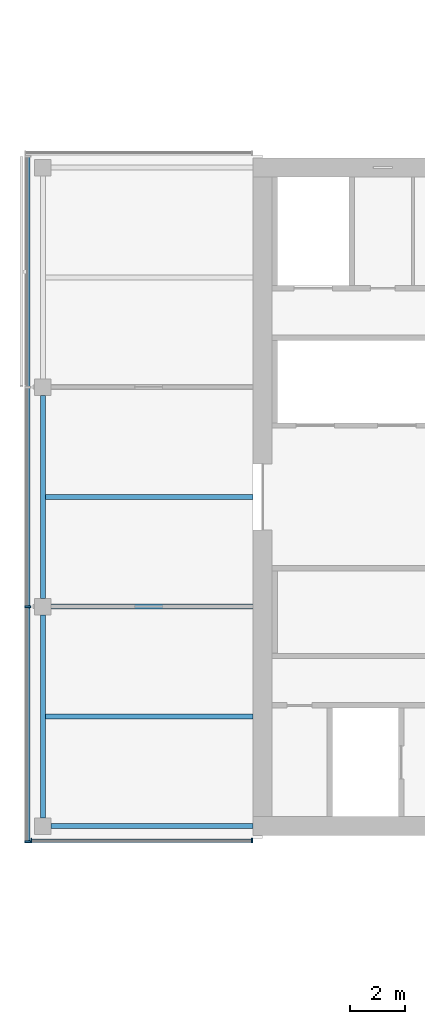
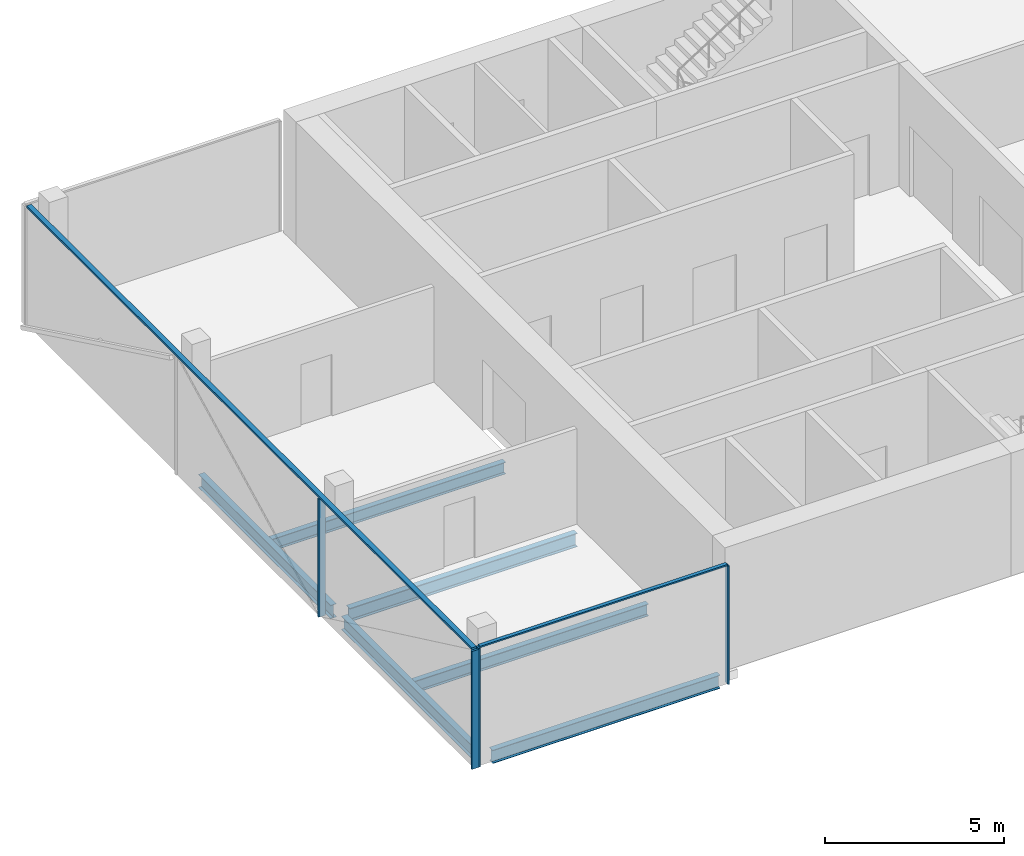
# One storey, part 3 of 22: 6 beams, 6 members, 2 elements without a shape of their own.
"""IFC4 building model written with IfcOpenShell, lengths in metres."""

import ifcopenshell
import ifcopenshell.guid

model = None  # the IFC model being written
_history = None  # IfcOwnerHistory: only IFC2X3 demands one
_inside = {}  # id of a spatial element -> (the spatial element, [elements in it])
_under = {}  # id of a project, library or spatial element -> (it, [spatial elements below it])
_declared = {}  # id of a project -> (the project, [libraries it declares])
_typed = {}  # id of a type object -> (the type object, [elements of that type])
_made_of = {}  # id of a material, layer set ... -> (it, [elements and type objects made of it])


def new_model(schema):
    """Start an empty IFC model of exactly this schema.

    Asked for "IFC4X3", IfcOpenShell would pick the latest addendum, in which some entities
    have other attributes; the version numbers below select the first issue.
    IFC2X3 requires an IfcOwnerHistory on every rooted entity: one is made here for all.
    """
    global model, _history
    if schema == "IFC4X3":
        model = ifcopenshell.file(schema_version=(4, 3, 0, 0))
    else:
        model = ifcopenshell.file(schema=schema)
    _inside.clear()
    _under.clear()
    _declared.clear()
    _typed.clear()
    _made_of.clear()
    _history = None
    if model.schema == "IFC2X3":
        org = make("IfcOrganization", Name="unknown")
        user = make(
            "IfcPersonAndOrganization",
            ThePerson=make("IfcPerson", FamilyName="unknown"),
            TheOrganization=org,
        )
        app = make(
            "IfcApplication",
            ApplicationDeveloper=org,
            Version="unknown",
            ApplicationFullName="unknown",
            ApplicationIdentifier="unknown",
        )
        _history = make(
            "IfcOwnerHistory",
            OwningUser=user,
            OwningApplication=app,
            ChangeAction="ADDED",
            CreationDate=0,
        )
    return model


def make(cls, **values):
    """One entity of the class cls with the attributes given. An attribute that is None is left unset."""
    return model.create_entity(
        cls, **{name: value for name, value in values.items() if value is not None}
    )


def rooted(cls, **values):
    """An entity with a GlobalId (a new one), such as an element, a storey or a relation."""
    return make(cls, GlobalId=ifcopenshell.guid.new(), OwnerHistory=_history, **values)


def si_unit(unit_type, name, prefix=None):
    """IfcSIUnit, for example si_unit("LENGTHUNIT", "METRE", prefix="MILLI")."""
    return make("IfcSIUnit", UnitType=unit_type, Prefix=prefix, Name=name)


def assignment(units):
    """IfcUnitAssignment: the units of a project."""
    return None if units is None else make("IfcUnitAssignment", Units=units)


def point(xyz):
    """IfcCartesianPoint."""
    return None if xyz is None else make("IfcCartesianPoint", Coordinates=xyz)


def direction(xyz):
    """IfcDirection."""
    return None if xyz is None else make("IfcDirection", DirectionRatios=xyz)


def frame(location, z_axis=None, x_axis=None):
    """IfcAxis2Placement3D, a coordinate frame: its origin and axes. An axis left out is left unset."""
    return make(
        "IfcAxis2Placement3D",
        Location=point(location),
        Axis=direction(z_axis),
        RefDirection=direction(x_axis),
    )


def frame_2d(location, x_axis=None):
    """IfcAxis2Placement2D, a coordinate frame in the plane: its origin and x axis."""
    return make(
        "IfcAxis2Placement2D", Location=point(location), RefDirection=direction(x_axis)
    )


def origin():
    """The frame at (0, 0, 0) with its axes left unset."""
    return frame((0.0, 0.0, 0.0))


def origin_2d():
    """The frame at (0, 0) in the plane with its x axis left unset."""
    return frame_2d((0.0, 0.0))


def place(relative_to, where):
    """IfcLocalPlacement: puts the frame where relative to a parent placement (None: the world)."""
    return make(
        "IfcLocalPlacement", PlacementRelTo=relative_to, RelativePlacement=where
    )


def context(
    kind, dimensions, precision=None, world=None, true_north=None, identifier=None
):
    """IfcGeometricRepresentationContext, for example the 3D "Model" context."""
    return make(
        "IfcGeometricRepresentationContext",
        ContextIdentifier=identifier,
        ContextType=kind,
        CoordinateSpaceDimension=dimensions,
        Precision=precision,
        WorldCoordinateSystem=world,
        TrueNorth=true_north,
    )


def subcontext(parent, identifier, kind, view, scale=None):
    """IfcGeometricRepresentationSubContext, for example "Body" below "Model"."""
    return make(
        "IfcGeometricRepresentationSubContext",
        ContextIdentifier=identifier,
        ContextType=kind,
        ParentContext=parent,
        TargetScale=scale,
        TargetView=view,
    )


def project(units=None, contexts=None):
    """IfcProject with its units and contexts."""
    return rooted(
        "IfcProject",
        Name="project",
        RepresentationContexts=contexts,
        UnitsInContext=assignment(units),
    )


def spatial(cls, under=None, at=None, **own):
    """A site, building, storey or space (cls), placed at a placement, below another one or the project."""
    s = rooted(cls, ObjectPlacement=at, **own)
    if under is not None:
        _under.setdefault(under.id(), (under, []))[1].append(s)
    return s


def profile(cls, at=None, kind="AREA", **sizes):
    """A parametric profile (cls). Its sizes go by their IFC names, for example OverallWidth=200.0."""
    return make(cls, ProfileType=kind, Position=at, **sizes)


def rectangle(**sizes):
    """IfcRectangleProfileDef."""
    return profile("IfcRectangleProfileDef", **sizes)


def i_section(**sizes):
    """IfcIShapeProfileDef."""
    return profile("IfcIShapeProfileDef", **sizes)


def extrude(swept, where, along, depth):
    """IfcExtrudedAreaSolid: the profile swept, set in the frame where, extruded along a direction by depth."""
    return make(
        "IfcExtrudedAreaSolid",
        SweptArea=swept,
        Position=where,
        ExtrudedDirection=direction(along),
        Depth=depth,
    )


def shape(context_of_items, identifier, shape_type, items):
    """IfcShapeRepresentation: the items that make up one representation, for example the "Body"."""
    return make(
        "IfcShapeRepresentation",
        ContextOfItems=context_of_items,
        RepresentationIdentifier=identifier,
        RepresentationType=shape_type,
        Items=items,
    )


def material(Name=None, Category=None):
    """IfcMaterial."""
    return make("IfcMaterial", Name=Name, Category=Category)


def material_profile(
    of_material, cross_section, Name=None, Category=None, Priority=None
):
    """IfcMaterialProfile: a cross section and its material."""
    return make(
        "IfcMaterialProfile",
        Name=Name,
        Material=of_material,
        Profile=cross_section,
        Priority=Priority,
        Category=Category,
    )


def profile_set(profiles, Name=None, composite=None):
    """IfcMaterialProfileSet."""
    return make(
        "IfcMaterialProfileSet",
        Name=Name,
        MaterialProfiles=profiles,
        CompositeProfile=composite,
    )


def made_of(thing, what):
    """Note that an element or type object is made of a material, layer set ...; save() writes the relation."""
    if what is not None:
        _made_of.setdefault(what.id(), (what, []))[1].append(thing)
    return thing


def type_object(cls, material=None, **own):
    """A type object (cls), such as IfcWallType, which elements share."""
    return made_of(rooted(cls, **own), material)


def element(
    cls,
    number,
    at=None,
    inside=None,
    cuts=None,
    type_object=None,
    material=None,
    context=None,
    identifier="Body",
    shape_type=None,
    held_by="IfcProductDefinitionShape",
    body=None,
    shapes=None,
    **own,
):
    """One element of the class cls, such as IfcWall. Its Tag is "e" and its number.

    at: its placement. inside: the storey or other place that contains it. cuts: it is an
    opening in that element (IfcRelVoidsElement). A single representation is given by context,
    identifier, shape_type and body (its items); several are given by shapes. held_by: the class
    of the entity that holds the representations. save() writes the other relations.
    """
    e = rooted(cls, Tag="e%d" % number, ObjectPlacement=at, **own)
    if body is not None:
        shapes = [shape(context, identifier, shape_type, body)]
    if shapes is not None:
        e.Representation = make(held_by, Representations=shapes)
    if inside is not None:
        _inside.setdefault(inside.id(), (inside, []))[1].append(e)
    if cuts is not None:
        rooted(
            "IfcRelVoidsElement", RelatingBuildingElement=cuts, RelatedOpeningElement=e
        )
    if type_object is not None:
        _typed.setdefault(type_object.id(), (type_object, []))[1].append(e)
    return made_of(e, material)


def aggregate(whole, parts):
    """IfcRelAggregates: a whole, such as a stair, and the parts it consists of."""
    return rooted("IfcRelAggregates", RelatingObject=whole, RelatedObjects=parts)


def save(model, path):
    """Write the relations noted so far, then the file.

    IfcRelAggregates (storeys below a building ...), IfcRelContainedInSpatialStructure (elements
    in a storey), IfcRelDefinesByType, IfcRelAssociatesMaterial and IfcRelDeclares: one each for
    every whole, place, type object, material and project.
    """
    for whole, parts in _under.values():
        aggregate(whole, parts)
    for where, things in _inside.values():
        rooted(
            "IfcRelContainedInSpatialStructure",
            RelatedElements=things,
            RelatingStructure=where,
        )
    for kind, things in _typed.values():
        rooted("IfcRelDefinesByType", RelatedObjects=things, RelatingType=kind)
    for what, things in _made_of.values():
        rooted("IfcRelAssociatesMaterial", RelatedObjects=things, RelatingMaterial=what)
    for by, libraries in _declared.values():
        rooted("IfcRelDeclares", RelatingContext=by, RelatedDefinitions=libraries)
    model.write(path)


model = new_model("IFC4")

# Units and contexts
model_context = context("Model", 3, precision=1e-05, world=origin(), true_north=direction((0.0, 1.0)))
body_context = subcontext(model_context, "Body", "Model", "MODEL_VIEW")
ifc_project = project(units=[si_unit("LENGTHUNIT", "METRE"), si_unit("AREAUNIT", "SQUARE_METRE"), si_unit("VOLUMEUNIT", "CUBIC_METRE"), si_unit("PLANEANGLEUNIT", "RADIAN"), si_unit("MASSUNIT", "GRAM", prefix="KILO")], contexts=[model_context])

# Site, building, storey
site_placement = place(None, origin())
site = spatial("IfcSite", under=ifc_project, at=site_placement, CompositionType="ELEMENT")
building_placement = place(site_placement, origin())
building = spatial("IfcBuilding", under=site, at=building_placement, Name="Crosswind Convention Tower", CompositionType="ELEMENT")
storey_placement = place(building_placement, frame((0.0, 0.0, 167.300048828125)))
storey = spatial("IfcBuildingStorey", under=building, at=storey_placement, Name="L35", CompositionType="ELEMENT", Elevation=167.300048828125)

# Beams
ifc_material_1 = material(Name="Steel S355", Category="steel")
ifc_material_profile_1 = material_profile(ifc_material_1, i_section(OverallWidth=0.18994140625, OverallDepth=0.45361328125, WebThickness=0.008544921875, FlangeThickness=0.0126953125, FilletRadius=0.01025390625, at=origin_2d()), Name="UB 457x191x67")
ifc_profile_set_1 = profile_set([ifc_material_profile_1], Name="Steel S355")
beam_type_1 = type_object("IfcBeamType", Name="Edge beam UB 457x191x67", PredefinedType="SPANDREL", material=ifc_profile_set_1)
for number, where, z_axis, x_axis, name in (
    (1, (89.0, 88.300048828125, -0.52685546875), (0.0, 1.0, 0.0), (-1.0, 0.0, 0.0), "B16 L35 edge beam 1"),
    (2, (89.0, 96.300048828125, -0.52685546875), (0.0, 1.0, 0.0), (-1.0, 0.0, 0.0), "B16 L35 edge beam 2"),
):
    element("IfcBeam", number, at=place(storey_placement, frame(where, z_axis=z_axis, x_axis=x_axis)), inside=storey, type_object=beam_type_1, Name=name, PredefinedType="SPANDREL", context=body_context, shape_type="SweptSolid", body=[
        extrude(i_section(OverallWidth=0.18994140625, OverallDepth=0.45361328125, WebThickness=0.008544921875, FlangeThickness=0.0126953125, FilletRadius=0.01025390625, at=origin_2d()), origin(), (0.0, 0.0, 1.0), 7.39990234375),
    ])
beam_1_placement = place(storey_placement, frame((89.300048828125, 88.0, -0.52685546875), z_axis=(1.0, 0.0, 0.0), x_axis=(0.0, 1.0, 0.0)))
element("IfcBeam", 3, at=beam_1_placement, inside=storey, type_object=beam_type_1, Name="B16 L35 edge beam 4", PredefinedType="SPANDREL", context=body_context, shape_type="SweptSolid", body=[
    extrude(i_section(OverallWidth=0.18994140625, OverallDepth=0.45361328125, WebThickness=0.008544921875, FlangeThickness=0.0126953125, FilletRadius=0.01025390625, at=origin_2d()), origin(), (0.0, 0.0, 1.0), 7.349853515625),
])
ifc_material_profile_2 = material_profile(ifc_material_1, i_section(OverallWidth=0.19189453125, OverallDepth=0.463623046875, WebThickness=0.010498046875, FlangeThickness=0.017578125, FilletRadius=0.01025390625, at=origin_2d()), Name="UB 457x191x90")
ifc_profile_set_2 = profile_set([ifc_material_profile_2], Name="Steel S355")
beam_type_2 = type_object("IfcBeamType", Name="Girder at core wall UB 457x191x90", PredefinedType="BEAM", material=ifc_profile_set_2)
beam_2_placement = place(storey_placement, frame((89.300048828125, 96.0, -0.53173828125), z_axis=(1.0, 0.0, 0.0), x_axis=(0.0, 1.0, 0.0)))
element("IfcBeam", 4, at=beam_2_placement, inside=storey, type_object=beam_type_2, Name="B24 L35 girder at core wall 1", PredefinedType="BEAM", context=body_context, shape_type="SweptSolid", body=[
    extrude(i_section(OverallWidth=0.19189453125, OverallDepth=0.463623046875, WebThickness=0.010498046875, FlangeThickness=0.017578125, FilletRadius=0.01025390625, at=origin_2d()), origin(), (0.0, 0.0, 1.0), 7.349853515625),
])

# Curtain wall, members
ifc_material_2 = material(Name="Aluminium unitised curtain wall", Category="aluminium")
curtain_wall_type_1 = type_object("IfcCurtainWallType", Name="CORE END SLOT WALL 160", PredefinedType="USERDEFINED", material=ifc_material_2)
curtain_wall_1_placement = place(storey_placement, origin())
curtain_wall_1 = element("IfcCurtainWall", 5, at=curtain_wall_1_placement, inside=storey, type_object=curtain_wall_type_1, Name="CW6 L35 W-S.1-1 slot", ObjectType="UNITISED", PredefinedType="USERDEFINED")
ifc_material_3 = material(Name="Aluminium mullion", Category="aluminium")
ifc_material_profile_3 = material_profile(ifc_material_3, rectangle(XDim=0.159912109375, YDim=0.050048828125, at=origin_2d()), Name="AL 160X50")
ifc_profile_set_3 = profile_set([ifc_material_profile_3], Name="Aluminium mullion")
member_type_1 = type_object("IfcMemberType", Name="MULLION 50X160", PredefinedType="MULLION", material=ifc_profile_set_3)
member_1_placement = place(storey_placement, frame((88.574951171875, 87.469970703125, -0.300048828125), z_axis=(0.0, 0.0, 1.0), x_axis=(0.0, -1.0, 0.0)))
member_1 = element("IfcMember", 6, at=member_1_placement, type_object=member_type_1, Name="CW6 mullion 1", PredefinedType="MULLION", context=body_context, shape_type="SweptSolid", body=[
    extrude(rectangle(XDim=0.159912109375, YDim=0.050048828125, at=origin_2d()), origin(), (0.0, 0.0, 1.0), 4.050048828125),
])
member_2_placement = place(storey_placement, frame((96.625, 87.469970703125, -0.300048828125), z_axis=(0.0, 0.0, 1.0), x_axis=(0.0, -1.0, 0.0)))
member_2 = element("IfcMember", 7, at=member_2_placement, type_object=member_type_1, Name="CW6 mullion 2", PredefinedType="MULLION", context=body_context, shape_type="SweptSolid", body=[
    extrude(rectangle(XDim=0.159912109375, YDim=0.050048828125, at=origin_2d()), origin(), (0.0, 0.0, 1.0), 4.050048828125),
])

curtain_wall_type_2 = type_object("IfcCurtainWallType", Name="OFFICE UNITISED WALL 220", PredefinedType="USERDEFINED", material=ifc_material_2)
curtain_wall_2_placement = place(storey_placement, origin())
curtain_wall_2 = element("IfcCurtainWall", 8, at=curtain_wall_2_placement, inside=storey, type_object=curtain_wall_type_2, Name="CW3 L35 W-TIP 1", ObjectType="UNITISED", PredefinedType="USERDEFINED")
ifc_material_profile_4 = material_profile(ifc_material_3, rectangle(XDim=0.219970703125, YDim=0.070068359375, at=origin_2d()), Name="AL 220X70")
ifc_profile_set_4 = profile_set([ifc_material_profile_4], Name="Aluminium mullion")
member_type_2 = type_object("IfcMemberType", Name="MULLION 70X220", PredefinedType="MULLION", material=ifc_profile_set_4)
member_3_placement = place(storey_placement, frame((88.43994140625, 96.0, -0.300048828125), z_axis=(0.0, 0.0, 1.0), x_axis=(-1.0, 0.0, 0.0)))
member_3 = element("IfcMember", 9, at=member_3_placement, type_object=member_type_2, Name="CW3 mullion 3", PredefinedType="MULLION", context=body_context, shape_type="SweptSolid", body=[
    extrude(rectangle(XDim=0.219970703125, YDim=0.070068359375, at=origin_2d()), origin(), (0.0, 0.0, 1.0), 4.030029296875),
])
member_4_placement = place(storey_placement, frame((88.43994140625, 87.425048828125, -0.300048828125), z_axis=(0.0, 0.0, 1.0), x_axis=(-1.0, 0.0, 0.0)))
member_4 = element("IfcMember", 10, at=member_4_placement, type_object=member_type_2, Name="CW3 mullion 4", PredefinedType="MULLION", context=body_context, shape_type="SweptSolid", body=[
    extrude(rectangle(XDim=0.219970703125, YDim=0.070068359375, at=origin_2d()), origin(), (0.0, 0.0, 1.0), 4.030029296875),
])

# Beams
ifc_material_profile_5 = material_profile(ifc_material_1, i_section(OverallWidth=0.177734375, OverallDepth=0.406494140625, WebThickness=0.0078125, FlangeThickness=0.0126953125, FilletRadius=0.01025390625, at=origin_2d()), Name="UB 406x178x60")
ifc_profile_set_5 = profile_set([ifc_material_profile_5], Name="Steel S355")
beam_type_3 = type_object("IfcBeamType", Name="Secondary beam UB 406x178x60", PredefinedType="JOIST", material=ifc_profile_set_5)
for number, where, z_axis, x_axis, name in (
    (11, (89.094970703125, 92.0, -0.503173828125), (1.0, 0.0, 0.0), (0.0, 1.0, 0.0), "B10 L35 secondary beam 1"),
    (12, (89.094970703125, 100.0, -0.503173828125), (1.0, 0.0, 0.0), (0.0, 1.0, 0.0), "B10 L35 secondary beam 2"),
):
    element("IfcBeam", number, at=place(storey_placement, frame(where, z_axis=z_axis, x_axis=x_axis)), inside=storey, type_object=beam_type_3, Name=name, PredefinedType="JOIST", context=body_context, shape_type="SweptSolid", body=[
        extrude(i_section(OverallWidth=0.177734375, OverallDepth=0.406494140625, WebThickness=0.0078125, FlangeThickness=0.0126953125, FilletRadius=0.01025390625, at=origin_2d()), origin(), (0.0, 0.0, 1.0), 7.554931640625),
    ])

# Member
ifc_material_4 = material(Name="Aluminium transom", Category="aluminium")
ifc_material_profile_6 = material_profile(ifc_material_4, rectangle(XDim=0.1201171875, YDim=0.050048828125, at=origin_2d()), Name="AL 120X50")
ifc_profile_set_6 = profile_set([ifc_material_profile_6], Name="Aluminium transom")
member_type_3 = type_object("IfcMemberType", Name="TRANSOM 50X120", PredefinedType="USERDEFINED", material=ifc_profile_set_6)
member_5_placement = place(storey_placement, frame((88.60009765625, 87.469970703125, 3.77490234375), z_axis=(1.0, 0.0, 0.0), x_axis=(0.0, 1.0, 0.0)))
member_5 = element("IfcMember", 13, at=member_5_placement, type_object=member_type_3, Name="CW6 transom", ObjectType="TRANSOM", PredefinedType="USERDEFINED", context=body_context, shape_type="SweptSolid", body=[
    extrude(rectangle(XDim=0.1201171875, YDim=0.050048828125, at=origin_2d()), origin(), (0.0, 0.0, 1.0), 8.0),
])

aggregate(curtain_wall_1, [member_1, member_2, member_5])

ifc_material_profile_7 = material_profile(ifc_material_4, rectangle(XDim=0.159912109375, YDim=0.070068359375, at=origin_2d()), Name="AL 160X70")
ifc_profile_set_7 = profile_set([ifc_material_profile_7], Name="Aluminium transom")
member_type_4 = type_object("IfcMemberType", Name="TRANSOM 70X160", PredefinedType="USERDEFINED", material=ifc_profile_set_7)
member_6_placement = place(storey_placement, frame((88.43994140625, 112.3798828125, 3.764892578125), z_axis=(0.0, -1.0, 0.0), x_axis=(1.0, 0.0, 0.0)))
member_6 = element("IfcMember", 14, at=member_6_placement, type_object=member_type_4, Name="CW3 transom", ObjectType="TRANSOM", PredefinedType="USERDEFINED", context=body_context, shape_type="SweptSolid", body=[
    extrude(rectangle(XDim=0.159912109375, YDim=0.070068359375, at=origin_2d()), origin(), (0.0, 0.0, 1.0), 24.919921875),
])

aggregate(curtain_wall_2, [member_3, member_4, member_6])

save(model, "model.ifc")
